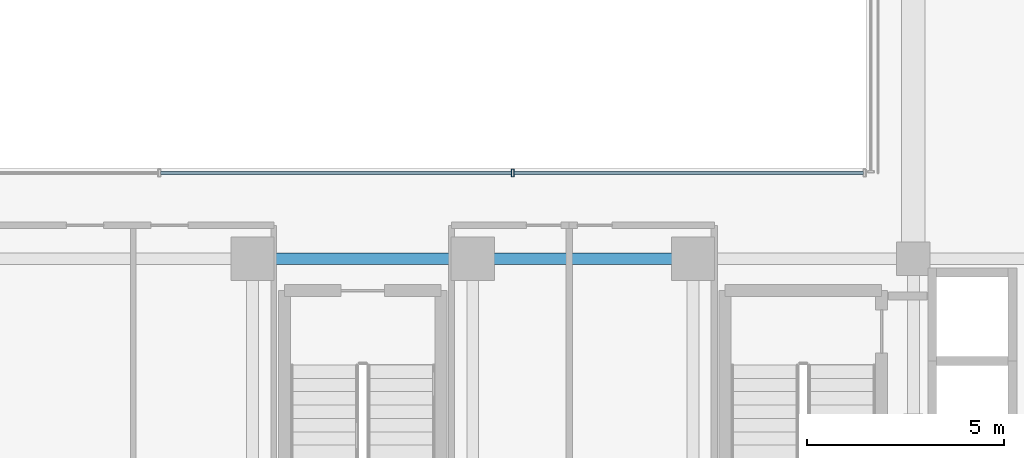
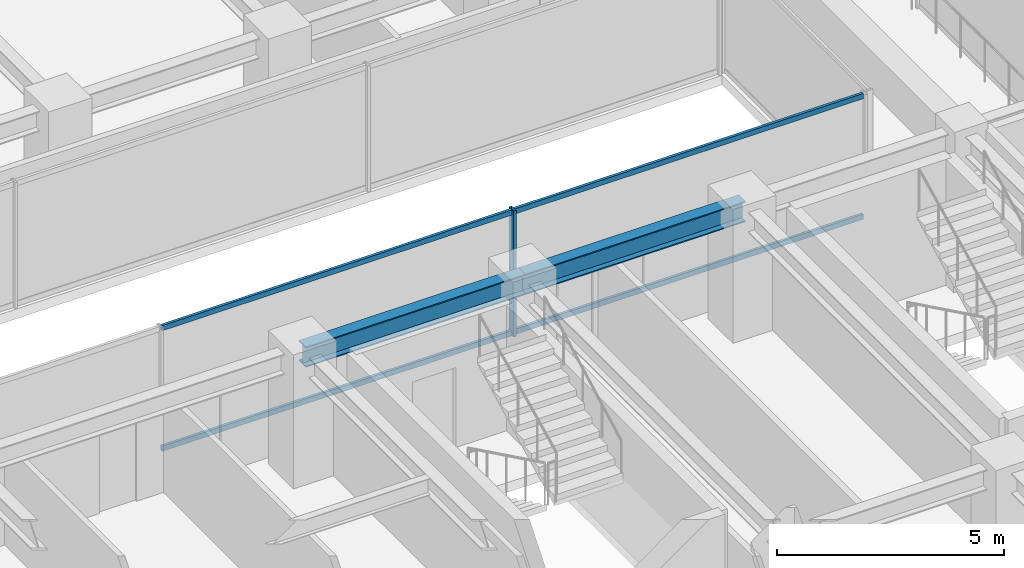
# One storey, part 10 of 36: 5 members, 2 beams, 1 element without a shape of its own.
"""IFC4 building model written with IfcOpenShell, lengths in metres."""

from ifc_helpers import new_model, si_unit, direction, frame, origin, origin_2d, place, context, subcontext, project, spatial, hollow_rectangle, i_section, extrude, source, transform, mapped, material, material_profile, profile_set, type_object, element, aggregate, save


model = new_model("IFC4")

# Units and contexts
model_context = context("Model", 3, precision=1e-05, world=origin(), true_north=direction((0.0, 1.0)))
body_context = subcontext(model_context, "Body", "Model", "MODEL_VIEW")
ifc_project = project(units=[si_unit("LENGTHUNIT", "METRE"), si_unit("AREAUNIT", "SQUARE_METRE"), si_unit("VOLUMEUNIT", "CUBIC_METRE"), si_unit("PLANEANGLEUNIT", "RADIAN"), si_unit("MASSUNIT", "GRAM", prefix="KILO")], contexts=[model_context])

# Site, building, storey
site_placement = place(None, origin())
site = spatial("IfcSite", under=ifc_project, at=site_placement, CompositionType="ELEMENT")
building_placement = place(site_placement, origin())
building = spatial("IfcBuilding", under=site, at=building_placement, Name="Nahalor Promenade Grand Hotel", CompositionType="ELEMENT")
storey_placement = place(building_placement, frame((0.0, 0.0, 174.550048828125)))
storey = spatial("IfcBuildingStorey", under=building, at=storey_placement, Name="L44", CompositionType="ELEMENT", Elevation=174.550048828125)

# Beams
ifc_material_1 = material(Name="Steel S355JR", Category="steel")
ifc_material_profile_1 = material_profile(ifc_material_1, i_section(OverallWidth=0.3, OverallDepth=0.55, WebThickness=0.015, FlangeThickness=0.029, at=origin_2d()), Name="HEB 550")
ifc_profile_set_1 = profile_set([ifc_material_profile_1], Name="Steel S355JR")
beam_type = type_object("IfcBeamType", Name="Beam-Girder-HEB550", PredefinedType="BEAM", material=ifc_profile_set_1)
shared_shape_1 = source(origin(), body_context, "Body", "SweptSolid", [
    extrude(i_section(OverallWidth=0.3, OverallDepth=0.55, WebThickness=0.015, FlangeThickness=0.029, at=origin_2d()), origin(), (0.0, 0.0, 1.0), 5.599853515625),
])
beam_1_placement = place(storey_placement, frame((-8.39990234375, -5.39990234375, 3.114990234375), z_axis=(1.0, 0.0, 0.0), x_axis=(0.0, 1.0, 0.0)))
element("IfcBeam", 1, at=beam_1_placement, inside=storey, type_object=beam_type, Name="BM-L44-GX-1-2", PredefinedType="BEAM", context=body_context, shape_type="MappedRepresentation", body=[
    mapped(shared_shape_1, transform((0.0, 0.0, 0.0), scale=1.0)),
])
shared_shape_2 = source(origin(), body_context, "Body", "SweptSolid", [
    extrude(i_section(OverallWidth=0.3, OverallDepth=0.55, WebThickness=0.015, FlangeThickness=0.029, at=origin_2d()), origin(), (0.0, 0.0, 1.0), 5.60009765625),
])
beam_2_placement = place(storey_placement, frame((-2.800048828125, -5.39990234375, 3.114990234375), z_axis=(1.0, 0.0, 0.0), x_axis=(0.0, 1.0, 0.0)))
element("IfcBeam", 2, at=beam_2_placement, inside=storey, type_object=beam_type, Name="BM-L44-GX-1-3", PredefinedType="BEAM", context=body_context, shape_type="MappedRepresentation", body=[
    mapped(shared_shape_2, transform((0.0, 0.0, 0.0), scale=1.0)),
])

# Curtain wall, members
ifc_material_2 = material(Name="Anodised Bronze Aluminium EN AW-6063 T6", Category="aluminium")
curtain_wall_type = type_object("IfcCurtainWallType", Name="CW3 Elliptical-Void Collar Unitised Curtain Wall", PredefinedType="USERDEFINED", material=ifc_material_2)
curtain_wall_placement = place(storey_placement, origin())
curtain_wall = element("IfcCurtainWall", 3, at=curtain_wall_placement, inside=storey, type_object=curtain_wall_type, Name="L44 Curtain Wall CW-L44-VOID-WS1", ObjectType="UNITISED_CURTAIN_WALL", PredefinedType="USERDEFINED")
ifc_material_profile_2 = material_profile(ifc_material_2, hollow_rectangle(XDim=0.07, YDim=0.14, WallThickness=0.004, at=origin_2d()), Name="CWT 70x140x4")
ifc_profile_set_2 = profile_set([ifc_material_profile_2], Name="Anodised Bronze Aluminium EN AW-6063 T6")
member_type_1 = type_object("IfcMemberType", Name="CWT3 Void Collar Transom 70x140", PredefinedType="USERDEFINED", material=ifc_profile_set_2)
shared_shape_3 = source(origin(), body_context, "Body", "SweptSolid", [
    extrude(hollow_rectangle(XDim=0.07, YDim=0.14, WallThickness=0.004, at=origin_2d()), origin(), (0.0, 0.0, 1.0), 8.881591796875),
])
member_1_placement = place(storey_placement, frame((-1.751708984375, -3.219970703125, 0.070068359375), z_axis=(1.0, 0.0, 0.0), x_axis=(0.0, 1.0, 0.0)))
member_1 = element("IfcMember", 4, at=member_1_placement, type_object=member_type_1, Name="CW-L44-VOID-WS1 Transom 2-0", ObjectType="TRANSOM", PredefinedType="USERDEFINED", context=body_context, shape_type="MappedRepresentation", body=[
    mapped(shared_shape_3, transform((0.0, 0.0, 0.0), scale=1.0)),
])
member_2_placement = place(storey_placement, frame((-1.751708984375, -3.219970703125, 3.320068359375), z_axis=(1.0, 0.0, 0.0), x_axis=(0.0, 1.0, 0.0)))
member_2 = element("IfcMember", 5, at=member_2_placement, type_object=member_type_1, Name="CW-L44-VOID-WS1 Transom 2-1", ObjectType="TRANSOM", PredefinedType="USERDEFINED", context=body_context, shape_type="MappedRepresentation", body=[
    mapped(shared_shape_3, transform((0.0, 0.0, 0.0), scale=1.0)),
])
shared_shape_4 = source(origin(), body_context, "Body", "SweptSolid", [
    extrude(hollow_rectangle(XDim=0.07, YDim=0.14, WallThickness=0.004, at=origin_2d()), origin(), (0.0, 0.0, 1.0), 8.91650390625),
])
member_3_placement = place(storey_placement, frame((-10.73828125, -3.219970703125, 0.070068359375), z_axis=(1.0, 0.0, 0.0), x_axis=(0.0, 1.0, 0.0)))
member_3 = element("IfcMember", 6, at=member_3_placement, type_object=member_type_1, Name="CW-L44-VOID-WS1 Transom 1-0", ObjectType="TRANSOM", PredefinedType="USERDEFINED", context=body_context, shape_type="MappedRepresentation", body=[
    mapped(shared_shape_4, transform((0.0, 0.0, 0.0), scale=1.0)),
])
member_4_placement = place(storey_placement, frame((-10.73828125, -3.219970703125, 3.320068359375), z_axis=(1.0, 0.0, 0.0), x_axis=(0.0, 1.0, 0.0)))
member_4 = element("IfcMember", 7, at=member_4_placement, type_object=member_type_1, Name="CW-L44-VOID-WS1 Transom 1-1", ObjectType="TRANSOM", PredefinedType="USERDEFINED", context=body_context, shape_type="MappedRepresentation", body=[
    mapped(shared_shape_4, transform((0.0, 0.0, 0.0), scale=1.0)),
])
ifc_material_profile_3 = material_profile(ifc_material_2, hollow_rectangle(XDim=0.07, YDim=0.2, WallThickness=0.005, at=origin_2d()), Name="CWM 70x200x5")
ifc_profile_set_3 = profile_set([ifc_material_profile_3], Name="Anodised Bronze Aluminium EN AW-6063 T6")
member_type_2 = type_object("IfcMemberType", Name="CWM3 Void Collar Mullion 70x200", PredefinedType="MULLION", material=ifc_profile_set_3)
shared_shape_5 = source(origin(), body_context, "Body", "SweptSolid", [
    extrude(hollow_rectangle(XDim=0.07, YDim=0.2, WallThickness=0.005, at=origin_2d()), origin(), (0.0, 0.0, 1.0), 3.389892578125),
])
member_5_placement = place(storey_placement, frame((-1.78662109375, -3.219970703125, 0.0), z_axis=(0.0, 0.0, 1.0), x_axis=(1.0, 0.0, 0.0)))
member_5 = element("IfcMember", 8, at=member_5_placement, type_object=member_type_2, Name="CW-L44-VOID-WS1 Mullion 2", PredefinedType="MULLION", context=body_context, shape_type="MappedRepresentation", body=[
    mapped(shared_shape_5, transform((0.0, 0.0, 0.0), scale=1.0)),
])
aggregate(curtain_wall, [member_5, member_3, member_4, member_1, member_2])

save(model, "model.ifc")
